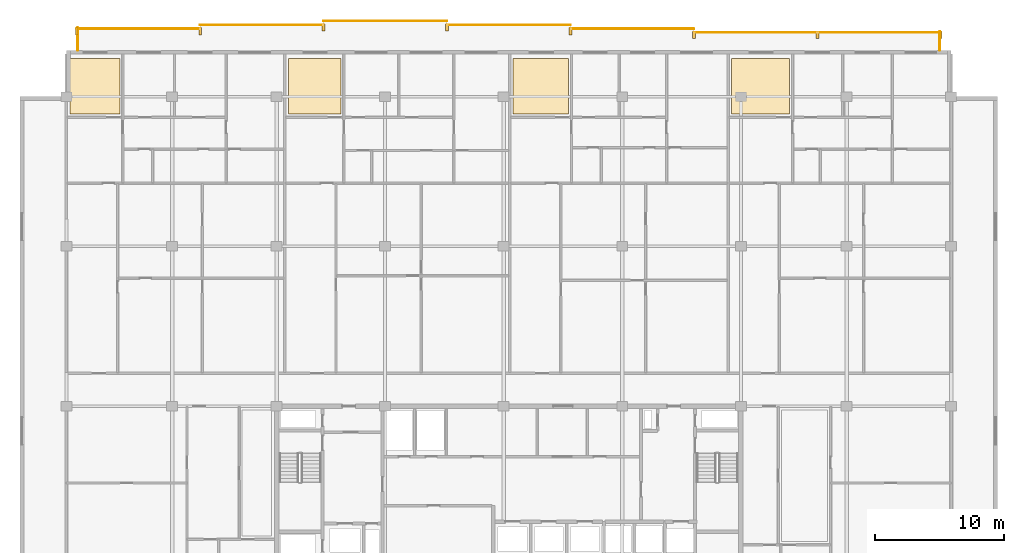
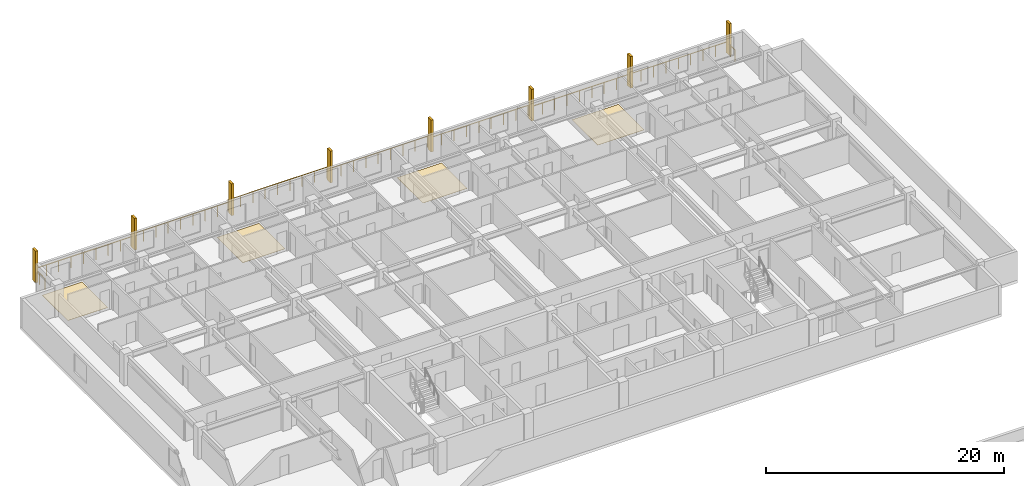
# One storey, part 24 of 24: 8 railings, 8 shading devices, 4 coverings.
"""IFC4 building model written with IfcOpenShell, lengths in metres."""

import ifcopenshell
import ifcopenshell.guid

model = None  # the IFC model being written
_history = None  # IfcOwnerHistory: only IFC2X3 demands one
_inside = {}  # id of a spatial element -> (the spatial element, [elements in it])
_under = {}  # id of a project, library or spatial element -> (it, [spatial elements below it])
_declared = {}  # id of a project -> (the project, [libraries it declares])
_typed = {}  # id of a type object -> (the type object, [elements of that type])
_made_of = {}  # id of a material, layer set ... -> (it, [elements and type objects made of it])


def new_model(schema):
    """Start an empty IFC model of exactly this schema.

    Asked for "IFC4X3", IfcOpenShell would pick the latest addendum, in which some entities
    have other attributes; the version numbers below select the first issue.
    IFC2X3 requires an IfcOwnerHistory on every rooted entity: one is made here for all.
    """
    global model, _history
    if schema == "IFC4X3":
        model = ifcopenshell.file(schema_version=(4, 3, 0, 0))
    else:
        model = ifcopenshell.file(schema=schema)
    _inside.clear()
    _under.clear()
    _declared.clear()
    _typed.clear()
    _made_of.clear()
    _history = None
    if model.schema == "IFC2X3":
        org = make("IfcOrganization", Name="unknown")
        user = make(
            "IfcPersonAndOrganization",
            ThePerson=make("IfcPerson", FamilyName="unknown"),
            TheOrganization=org,
        )
        app = make(
            "IfcApplication",
            ApplicationDeveloper=org,
            Version="unknown",
            ApplicationFullName="unknown",
            ApplicationIdentifier="unknown",
        )
        _history = make(
            "IfcOwnerHistory",
            OwningUser=user,
            OwningApplication=app,
            ChangeAction="ADDED",
            CreationDate=0,
        )
    return model


def make(cls, **values):
    """One entity of the class cls with the attributes given. An attribute that is None is left unset."""
    return model.create_entity(
        cls, **{name: value for name, value in values.items() if value is not None}
    )


def rooted(cls, **values):
    """An entity with a GlobalId (a new one), such as an element, a storey or a relation."""
    return make(cls, GlobalId=ifcopenshell.guid.new(), OwnerHistory=_history, **values)


def si_unit(unit_type, name, prefix=None):
    """IfcSIUnit, for example si_unit("LENGTHUNIT", "METRE", prefix="MILLI")."""
    return make("IfcSIUnit", UnitType=unit_type, Prefix=prefix, Name=name)


def assignment(units):
    """IfcUnitAssignment: the units of a project."""
    return None if units is None else make("IfcUnitAssignment", Units=units)


def point(xyz):
    """IfcCartesianPoint."""
    return None if xyz is None else make("IfcCartesianPoint", Coordinates=xyz)


def direction(xyz):
    """IfcDirection."""
    return None if xyz is None else make("IfcDirection", DirectionRatios=xyz)


def frame(location, z_axis=None, x_axis=None):
    """IfcAxis2Placement3D, a coordinate frame: its origin and axes. An axis left out is left unset."""
    return make(
        "IfcAxis2Placement3D",
        Location=point(location),
        Axis=direction(z_axis),
        RefDirection=direction(x_axis),
    )


def frame_2d(location, x_axis=None):
    """IfcAxis2Placement2D, a coordinate frame in the plane: its origin and x axis."""
    return make(
        "IfcAxis2Placement2D", Location=point(location), RefDirection=direction(x_axis)
    )


def origin():
    """The frame at (0, 0, 0) with its axes left unset."""
    return frame((0.0, 0.0, 0.0))


def origin_2d():
    """The frame at (0, 0) in the plane with its x axis left unset."""
    return frame_2d((0.0, 0.0))


def place(relative_to, where):
    """IfcLocalPlacement: puts the frame where relative to a parent placement (None: the world)."""
    return make(
        "IfcLocalPlacement", PlacementRelTo=relative_to, RelativePlacement=where
    )


def context(
    kind, dimensions, precision=None, world=None, true_north=None, identifier=None
):
    """IfcGeometricRepresentationContext, for example the 3D "Model" context."""
    return make(
        "IfcGeometricRepresentationContext",
        ContextIdentifier=identifier,
        ContextType=kind,
        CoordinateSpaceDimension=dimensions,
        Precision=precision,
        WorldCoordinateSystem=world,
        TrueNorth=true_north,
    )


def subcontext(parent, identifier, kind, view, scale=None):
    """IfcGeometricRepresentationSubContext, for example "Body" below "Model"."""
    return make(
        "IfcGeometricRepresentationSubContext",
        ContextIdentifier=identifier,
        ContextType=kind,
        ParentContext=parent,
        TargetScale=scale,
        TargetView=view,
    )


def project(units=None, contexts=None):
    """IfcProject with its units and contexts."""
    return rooted(
        "IfcProject",
        Name="project",
        RepresentationContexts=contexts,
        UnitsInContext=assignment(units),
    )


def spatial(cls, under=None, at=None, **own):
    """A site, building, storey or space (cls), placed at a placement, below another one or the project."""
    s = rooted(cls, ObjectPlacement=at, **own)
    if under is not None:
        _under.setdefault(under.id(), (under, []))[1].append(s)
    return s


def polyline(points):
    """IfcPolyline through the points."""
    return make("IfcPolyline", Points=[point(p) for p in points])


def profile(cls, at=None, kind="AREA", **sizes):
    """A parametric profile (cls). Its sizes go by their IFC names, for example OverallWidth=200.0."""
    return make(cls, ProfileType=kind, Position=at, **sizes)


def rectangle(**sizes):
    """IfcRectangleProfileDef."""
    return profile("IfcRectangleProfileDef", **sizes)


def circle(**sizes):
    """IfcCircleProfileDef."""
    return profile("IfcCircleProfileDef", **sizes)


def outline(outer, holes=None, kind="AREA"):
    """IfcArbitraryClosedProfileDef: a profile drawn as a closed curve; with holes, ...WithVoids."""
    if holes is None:
        return make("IfcArbitraryClosedProfileDef", ProfileType=kind, OuterCurve=outer)
    return make(
        "IfcArbitraryProfileDefWithVoids",
        ProfileType=kind,
        OuterCurve=outer,
        InnerCurves=holes,
    )


def extrude(swept, where, along, depth):
    """IfcExtrudedAreaSolid: the profile swept, set in the frame where, extruded along a direction by depth."""
    return make(
        "IfcExtrudedAreaSolid",
        SweptArea=swept,
        Position=where,
        ExtrudedDirection=direction(along),
        Depth=depth,
    )


def shape(context_of_items, identifier, shape_type, items):
    """IfcShapeRepresentation: the items that make up one representation, for example the "Body"."""
    return make(
        "IfcShapeRepresentation",
        ContextOfItems=context_of_items,
        RepresentationIdentifier=identifier,
        RepresentationType=shape_type,
        Items=items,
    )


def material(Name=None, Category=None):
    """IfcMaterial."""
    return make("IfcMaterial", Name=Name, Category=Category)


def layer(
    of_material, thickness, ventilated=None, Name=None, Category=None, Priority=None
):
    """IfcMaterialLayer: one layer of a wall or slab, of a material (None: an air gap)."""
    return make(
        "IfcMaterialLayer",
        Material=of_material,
        LayerThickness=thickness,
        IsVentilated=ventilated,
        Name=Name,
        Category=Category,
        Priority=Priority,
    )


def layer_set(layers, Name=None):
    """IfcMaterialLayerSet."""
    return make("IfcMaterialLayerSet", MaterialLayers=layers, LayerSetName=Name)


def made_of(thing, what):
    """Note that an element or type object is made of a material, layer set ...; save() writes the relation."""
    if what is not None:
        _made_of.setdefault(what.id(), (what, []))[1].append(thing)
    return thing


def type_object(cls, material=None, **own):
    """A type object (cls), such as IfcWallType, which elements share."""
    return made_of(rooted(cls, **own), material)


def element(
    cls,
    number,
    at=None,
    inside=None,
    cuts=None,
    type_object=None,
    material=None,
    context=None,
    identifier="Body",
    shape_type=None,
    held_by="IfcProductDefinitionShape",
    body=None,
    shapes=None,
    **own,
):
    """One element of the class cls, such as IfcWall. Its Tag is "e" and its number.

    at: its placement. inside: the storey or other place that contains it. cuts: it is an
    opening in that element (IfcRelVoidsElement). A single representation is given by context,
    identifier, shape_type and body (its items); several are given by shapes. held_by: the class
    of the entity that holds the representations. save() writes the other relations.
    """
    e = rooted(cls, Tag="e%d" % number, ObjectPlacement=at, **own)
    if body is not None:
        shapes = [shape(context, identifier, shape_type, body)]
    if shapes is not None:
        e.Representation = make(held_by, Representations=shapes)
    if inside is not None:
        _inside.setdefault(inside.id(), (inside, []))[1].append(e)
    if cuts is not None:
        rooted(
            "IfcRelVoidsElement", RelatingBuildingElement=cuts, RelatedOpeningElement=e
        )
    if type_object is not None:
        _typed.setdefault(type_object.id(), (type_object, []))[1].append(e)
    return made_of(e, material)


def aggregate(whole, parts):
    """IfcRelAggregates: a whole, such as a stair, and the parts it consists of."""
    return rooted("IfcRelAggregates", RelatingObject=whole, RelatedObjects=parts)


def save(model, path):
    """Write the relations noted so far, then the file.

    IfcRelAggregates (storeys below a building ...), IfcRelContainedInSpatialStructure (elements
    in a storey), IfcRelDefinesByType, IfcRelAssociatesMaterial and IfcRelDeclares: one each for
    every whole, place, type object, material and project.
    """
    for whole, parts in _under.values():
        aggregate(whole, parts)
    for where, things in _inside.values():
        rooted(
            "IfcRelContainedInSpatialStructure",
            RelatedElements=things,
            RelatingStructure=where,
        )
    for kind, things in _typed.values():
        rooted("IfcRelDefinesByType", RelatedObjects=things, RelatingType=kind)
    for what, things in _made_of.values():
        rooted("IfcRelAssociatesMaterial", RelatedObjects=things, RelatingMaterial=what)
    for by, libraries in _declared.values():
        rooted("IfcRelDeclares", RelatingContext=by, RelatedDefinitions=libraries)
    model.write(path)


model = new_model("IFC4")

# Units and contexts
model_context = context("Model", 3, precision=1e-05, world=origin(), true_north=direction((0.0, 1.0)))
body_context = subcontext(model_context, "Body", "Model", "MODEL_VIEW")
ifc_project = project(units=[si_unit("LENGTHUNIT", "METRE"), si_unit("AREAUNIT", "SQUARE_METRE"), si_unit("VOLUMEUNIT", "CUBIC_METRE"), si_unit("PLANEANGLEUNIT", "RADIAN"), si_unit("MASSUNIT", "GRAM", prefix="KILO")], contexts=[model_context])

# Site, building, storey
site_placement = place(None, origin())
site = spatial("IfcSite", under=ifc_project, at=site_placement, CompositionType="ELEMENT")
building_placement = place(site_placement, origin())
building = spatial("IfcBuilding", under=site, at=building_placement, Name="Korimba Cascade Residences", CompositionType="ELEMENT")
storey_placement = place(building_placement, frame((0.0, 0.0, 168.60009765625)))
storey = spatial("IfcBuildingStorey", under=building, at=storey_placement, Name="L48", CompositionType="ELEMENT", Elevation=168.60009765625)

# Coverings
ifc_material_1 = material(Name="Engineered Spotted-Gum Timber Flooring", Category="wood")
ifc_layer = layer(ifc_material_1, 0.02001953125)
ifc_layer_set = layer_set([ifc_layer], Name="Engineered Spotted-Gum Timber Flooring")
covering_type = type_object("IfcCoveringType", Name="COV-FLR-TIM", PredefinedType="FLOORING", material=ifc_layer_set)
covering_1_placement = place(storey_placement, origin())
element("IfcCovering", 1, at=covering_1_placement, inside=storey, type_object=covering_type, Name="L48 Spotted-Gum Timber Flooring L48-T1-U01-L", PredefinedType="FLOORING", context=body_context, shape_type="SweptSolid", body=[
    extrude(outline(polyline([(60.070068359375, 89.8701171875), (63.93994140625, 89.8701171875), (63.93994140625, 94.179931640625), (60.070068359375, 94.179931640625), (60.070068359375, 89.8701171875)])), origin(), (0.0, 0.0, 1.0), 0.02001953125),
])
covering_2_placement = place(storey_placement, origin())
element("IfcCovering", 2, at=covering_2_placement, inside=storey, type_object=covering_type, Name="L48 Spotted-Gum Timber Flooring L48-T1-U02-L", PredefinedType="FLOORING", context=body_context, shape_type="SweptSolid", body=[
    extrude(outline(polyline([(77.005126953125, 89.8701171875), (81.085205078125, 89.8701171875), (81.085205078125, 94.179931640625), (77.005126953125, 94.179931640625), (77.005126953125, 89.8701171875)])), origin(), (0.0, 0.0, 1.0), 0.02001953125),
])
covering_3_placement = place(storey_placement, origin())
element("IfcCovering", 3, at=covering_3_placement, inside=storey, type_object=covering_type, Name="L48 Spotted-Gum Timber Flooring L48-T1-U03-L", PredefinedType="FLOORING", context=body_context, shape_type="SweptSolid", body=[
    extrude(outline(polyline([(94.445068359375, 89.8701171875), (98.735107421875, 89.8701171875), (98.735107421875, 94.179931640625), (94.445068359375, 94.179931640625), (94.445068359375, 89.8701171875)])), origin(), (0.0, 0.0, 1.0), 0.02001953125),
])
covering_4_placement = place(storey_placement, origin())
element("IfcCovering", 4, at=covering_4_placement, inside=storey, type_object=covering_type, Name="L48 Spotted-Gum Timber Flooring L48-T1-U04-L", PredefinedType="FLOORING", context=body_context, shape_type="SweptSolid", body=[
    extrude(outline(polyline([(111.380126953125, 89.8701171875), (115.880126953125, 89.8701171875), (115.880126953125, 94.179931640625), (111.380126953125, 94.179931640625), (111.380126953125, 89.8701171875)])), origin(), (0.0, 0.0, 1.0), 0.02001953125),
])

# Railings
ifc_material_2 = material(Name="Laminated Glass and Bronze Balustrade", Category="glass")
railing_type = type_object("IfcRailingType", Name="RLG-LOG-1150", PredefinedType="BALUSTRADE", material=ifc_material_2)
railing_1_placement = place(storey_placement, frame((127.52001953125, 94.800048828125, 0.0)))
element("IfcRailing", 5, at=railing_1_placement, inside=storey, type_object=railing_type, Name="L48 Perimeter Guardrail RLG-L48-T1-LOG-01", PredefinedType="BALUSTRADE", context=body_context, shape_type="SweptSolid", body=[
    extrude(circle(Radius=0.02392578125, at=origin_2d()), frame((0.0, 0.0, 1.1259765625), z_axis=(0.0, 1.0, 0.0), x_axis=(-1.0, 0.0, 0.0)), (0.0, 0.0, 1.0), 1.449951171875),
    extrude(circle(Radius=0.02099609375, at=origin_2d()), origin(), (0.0, 0.0, 1.0), 1.101806640625),
    extrude(circle(Radius=0.02099609375, at=origin_2d()), frame((0.0, 0.72509765625, 0.0)), (0.0, 0.0, 1.0), 1.101806640625),
    extrude(circle(Radius=0.02099609375, at=origin_2d()), frame((0.0, 1.449951171875, 0.0)), (0.0, 0.0, 1.0), 1.101806640625),
])
railing_2_placement = place(storey_placement, frame((127.60009765625, 96.169921875, 0.0)))
element("IfcRailing", 6, at=railing_2_placement, inside=storey, type_object=railing_type, Name="L48 Perimeter Guardrail RLG-L48-T1-LOG-02", PredefinedType="BALUSTRADE", context=body_context, shape_type="SweptSolid", body=[
    extrude(circle(Radius=0.02392578125, at=origin_2d()), frame((0.0, 0.0, 1.1259765625), z_axis=(-1.0, 0.0, 0.0), x_axis=(0.0, -1.0, 0.0)), (0.0, 0.0, 1.0), 19.14306640625),
    extrude(circle(Radius=0.02099609375, at=origin_2d()), origin(), (0.0, 0.0, 1.0), 1.101806640625),
    extrude(circle(Radius=0.02099609375, at=origin_2d()), frame((-1.196533203125, 0.0, 0.0)), (0.0, 0.0, 1.0), 1.101806640625),
    extrude(circle(Radius=0.02099609375, at=origin_2d()), frame((-2.392822265625, 0.0, 0.0)), (0.0, 0.0, 1.0), 1.101806640625),
    extrude(circle(Radius=0.02099609375, at=origin_2d()), frame((-3.58935546875, 0.0, 0.0)), (0.0, 0.0, 1.0), 1.101806640625),
    extrude(circle(Radius=0.02099609375, at=origin_2d()), frame((-4.78564453125, 0.0, 0.0)), (0.0, 0.0, 1.0), 1.101806640625),
    extrude(circle(Radius=0.02099609375, at=origin_2d()), frame((-5.982177734375, 0.0, 0.0)), (0.0, 0.0, 1.0), 1.101806640625),
    extrude(circle(Radius=0.02099609375, at=origin_2d()), frame((-7.1787109375, 0.0, 0.0)), (0.0, 0.0, 1.0), 1.101806640625),
    extrude(circle(Radius=0.02099609375, at=origin_2d()), frame((-8.375, 0.0, 0.0)), (0.0, 0.0, 1.0), 1.101806640625),
    extrude(circle(Radius=0.02099609375, at=origin_2d()), frame((-9.571533203125, 0.0, 0.0)), (0.0, 0.0, 1.0), 1.101806640625),
    extrude(circle(Radius=0.02099609375, at=origin_2d()), frame((-10.76806640625, 0.0, 0.0)), (0.0, 0.0, 1.0), 1.101806640625),
    extrude(circle(Radius=0.02099609375, at=origin_2d()), frame((-11.96435546875, 0.0, 0.0)), (0.0, 0.0, 1.0), 1.101806640625),
    extrude(circle(Radius=0.02099609375, at=origin_2d()), frame((-13.160888671875, 0.0, 0.0)), (0.0, 0.0, 1.0), 1.101806640625),
    extrude(circle(Radius=0.02099609375, at=origin_2d()), frame((-14.357421875, 0.0, 0.0)), (0.0, 0.0, 1.0), 1.101806640625),
    extrude(circle(Radius=0.02099609375, at=origin_2d()), frame((-15.5537109375, 0.0, 0.0)), (0.0, 0.0, 1.0), 1.101806640625),
    extrude(circle(Radius=0.02099609375, at=origin_2d()), frame((-16.750244140625, 0.0, 0.0)), (0.0, 0.0, 1.0), 1.101806640625),
    extrude(circle(Radius=0.02099609375, at=origin_2d()), frame((-17.946533203125, 0.0, 0.0)), (0.0, 0.0, 1.0), 1.101806640625),
    extrude(circle(Radius=0.02099609375, at=origin_2d()), frame((-19.14306640625, 0.0, 0.0)), (0.0, 0.0, 1.0), 1.101806640625),
])
railing_3_placement = place(storey_placement, frame((108.45703125, 96.469970703125, 0.0)))
element("IfcRailing", 7, at=railing_3_placement, inside=storey, type_object=railing_type, Name="L48 Perimeter Guardrail RLG-L48-T1-LOG-03", PredefinedType="BALUSTRADE", context=body_context, shape_type="SweptSolid", body=[
    extrude(circle(Radius=0.02392578125, at=origin_2d()), frame((0.0, 0.0, 1.1259765625), z_axis=(-1.0, 0.0, 0.0), x_axis=(0.0, -1.0, 0.0)), (0.0, 0.0, 1.0), 9.5712890625),
    extrude(circle(Radius=0.02099609375, at=origin_2d()), origin(), (0.0, 0.0, 1.0), 1.101806640625),
    extrude(circle(Radius=0.02099609375, at=origin_2d()), frame((-1.1962890625, 0.0, 0.0)), (0.0, 0.0, 1.0), 1.101806640625),
    extrude(circle(Radius=0.02099609375, at=origin_2d()), frame((-2.392822265625, 0.0, 0.0)), (0.0, 0.0, 1.0), 1.101806640625),
    extrude(circle(Radius=0.02099609375, at=origin_2d()), frame((-3.58935546875, 0.0, 0.0)), (0.0, 0.0, 1.0), 1.101806640625),
    extrude(circle(Radius=0.02099609375, at=origin_2d()), frame((-4.78564453125, 0.0, 0.0)), (0.0, 0.0, 1.0), 1.101806640625),
    extrude(circle(Radius=0.02099609375, at=origin_2d()), frame((-5.98193359375, 0.0, 0.0)), (0.0, 0.0, 1.0), 1.101806640625),
    extrude(circle(Radius=0.02099609375, at=origin_2d()), frame((-7.178466796875, 0.0, 0.0)), (0.0, 0.0, 1.0), 1.101806640625),
    extrude(circle(Radius=0.02099609375, at=origin_2d()), frame((-8.375, 0.0, 0.0)), (0.0, 0.0, 1.0), 1.101806640625),
    extrude(circle(Radius=0.02099609375, at=origin_2d()), frame((-9.5712890625, 0.0, 0.0)), (0.0, 0.0, 1.0), 1.101806640625),
])
railing_4_placement = place(storey_placement, frame((98.8857421875, 96.77001953125, 0.0)))
element("IfcRailing", 8, at=railing_4_placement, inside=storey, type_object=railing_type, Name="L48 Perimeter Guardrail RLG-L48-T1-LOG-04", PredefinedType="BALUSTRADE", context=body_context, shape_type="SweptSolid", body=[
    extrude(circle(Radius=0.02392578125, at=origin_2d()), frame((0.0, 0.0, 1.1259765625), z_axis=(-1.0, 0.0, 0.0), x_axis=(0.0, -1.0, 0.0)), (0.0, 0.0, 1.0), 9.571533203125),
    extrude(circle(Radius=0.02099609375, at=origin_2d()), origin(), (0.0, 0.0, 1.0), 1.101806640625),
    extrude(circle(Radius=0.02099609375, at=origin_2d()), frame((-1.196533203125, 0.0, 0.0)), (0.0, 0.0, 1.0), 1.101806640625),
    extrude(circle(Radius=0.02099609375, at=origin_2d()), frame((-2.392822265625, 0.0, 0.0)), (0.0, 0.0, 1.0), 1.101806640625),
    extrude(circle(Radius=0.02099609375, at=origin_2d()), frame((-3.58935546875, 0.0, 0.0)), (0.0, 0.0, 1.0), 1.101806640625),
    extrude(circle(Radius=0.02099609375, at=origin_2d()), frame((-4.78564453125, 0.0, 0.0)), (0.0, 0.0, 1.0), 1.101806640625),
    extrude(circle(Radius=0.02099609375, at=origin_2d()), frame((-5.982177734375, 0.0, 0.0)), (0.0, 0.0, 1.0), 1.101806640625),
    extrude(circle(Radius=0.02099609375, at=origin_2d()), frame((-7.1787109375, 0.0, 0.0)), (0.0, 0.0, 1.0), 1.101806640625),
    extrude(circle(Radius=0.02099609375, at=origin_2d()), frame((-8.375, 0.0, 0.0)), (0.0, 0.0, 1.0), 1.101806640625),
    extrude(circle(Radius=0.02099609375, at=origin_2d()), frame((-9.571533203125, 0.0, 0.0)), (0.0, 0.0, 1.0), 1.101806640625),
])
railing_5_placement = place(storey_placement, frame((89.314208984375, 97.070068359375, 0.0)))
element("IfcRailing", 9, at=railing_5_placement, inside=storey, type_object=railing_type, Name="L48 Perimeter Guardrail RLG-L48-T1-LOG-05", PredefinedType="BALUSTRADE", context=body_context, shape_type="SweptSolid", body=[
    extrude(circle(Radius=0.02392578125, at=origin_2d()), frame((0.0, 0.0, 1.1259765625), z_axis=(-1.0, 0.0, 0.0), x_axis=(0.0, -1.0, 0.0)), (0.0, 0.0, 1.0), 9.5712890625),
    extrude(circle(Radius=0.02099609375, at=origin_2d()), origin(), (0.0, 0.0, 1.0), 1.101806640625),
    extrude(circle(Radius=0.02099609375, at=origin_2d()), frame((-1.1962890625, 0.0, 0.0)), (0.0, 0.0, 1.0), 1.101806640625),
    extrude(circle(Radius=0.02099609375, at=origin_2d()), frame((-2.392822265625, 0.0, 0.0)), (0.0, 0.0, 1.0), 1.101806640625),
    extrude(circle(Radius=0.02099609375, at=origin_2d()), frame((-3.58935546875, 0.0, 0.0)), (0.0, 0.0, 1.0), 1.101806640625),
    extrude(circle(Radius=0.02099609375, at=origin_2d()), frame((-4.78564453125, 0.0, 0.0)), (0.0, 0.0, 1.0), 1.101806640625),
    extrude(circle(Radius=0.02099609375, at=origin_2d()), frame((-5.98193359375, 0.0, 0.0)), (0.0, 0.0, 1.0), 1.101806640625),
    extrude(circle(Radius=0.02099609375, at=origin_2d()), frame((-7.178466796875, 0.0, 0.0)), (0.0, 0.0, 1.0), 1.101806640625),
    extrude(circle(Radius=0.02099609375, at=origin_2d()), frame((-8.375, 0.0, 0.0)), (0.0, 0.0, 1.0), 1.101806640625),
    extrude(circle(Radius=0.02099609375, at=origin_2d()), frame((-9.5712890625, 0.0, 0.0)), (0.0, 0.0, 1.0), 1.101806640625),
])
railing_6_placement = place(storey_placement, frame((79.742919921875, 96.77001953125, 0.0)))
element("IfcRailing", 10, at=railing_6_placement, inside=storey, type_object=railing_type, Name="L48 Perimeter Guardrail RLG-L48-T1-LOG-06", PredefinedType="BALUSTRADE", context=body_context, shape_type="SweptSolid", body=[
    extrude(circle(Radius=0.02392578125, at=origin_2d()), frame((0.0, 0.0, 1.1259765625), z_axis=(-1.0, 0.0, 0.0), x_axis=(0.0, -1.0, 0.0)), (0.0, 0.0, 1.0), 9.571533203125),
    extrude(circle(Radius=0.02099609375, at=origin_2d()), origin(), (0.0, 0.0, 1.0), 1.101806640625),
    extrude(circle(Radius=0.02099609375, at=origin_2d()), frame((-1.196533203125, 0.0, 0.0)), (0.0, 0.0, 1.0), 1.101806640625),
    extrude(circle(Radius=0.02099609375, at=origin_2d()), frame((-2.392822265625, 0.0, 0.0)), (0.0, 0.0, 1.0), 1.101806640625),
    extrude(circle(Radius=0.02099609375, at=origin_2d()), frame((-3.58935546875, 0.0, 0.0)), (0.0, 0.0, 1.0), 1.101806640625),
    extrude(circle(Radius=0.02099609375, at=origin_2d()), frame((-4.78564453125, 0.0, 0.0)), (0.0, 0.0, 1.0), 1.101806640625),
    extrude(circle(Radius=0.02099609375, at=origin_2d()), frame((-5.982177734375, 0.0, 0.0)), (0.0, 0.0, 1.0), 1.101806640625),
    extrude(circle(Radius=0.02099609375, at=origin_2d()), frame((-7.1787109375, 0.0, 0.0)), (0.0, 0.0, 1.0), 1.101806640625),
    extrude(circle(Radius=0.02099609375, at=origin_2d()), frame((-8.375, 0.0, 0.0)), (0.0, 0.0, 1.0), 1.101806640625),
    extrude(circle(Radius=0.02099609375, at=origin_2d()), frame((-9.571533203125, 0.0, 0.0)), (0.0, 0.0, 1.0), 1.101806640625),
])
railing_7_placement = place(storey_placement, frame((70.17138671875, 96.469970703125, 0.0)))
element("IfcRailing", 11, at=railing_7_placement, inside=storey, type_object=railing_type, Name="L48 Perimeter Guardrail RLG-L48-T1-LOG-07", PredefinedType="BALUSTRADE", context=body_context, shape_type="SweptSolid", body=[
    extrude(circle(Radius=0.02392578125, at=origin_2d()), frame((0.0, 0.0, 1.1259765625), z_axis=(-1.0, 0.0, 0.0), x_axis=(0.0, -1.0, 0.0)), (0.0, 0.0, 1.0), 9.5712890625),
    extrude(circle(Radius=0.02099609375, at=origin_2d()), origin(), (0.0, 0.0, 1.0), 1.101806640625),
    extrude(circle(Radius=0.02099609375, at=origin_2d()), frame((-1.1962890625, 0.0, 0.0)), (0.0, 0.0, 1.0), 1.101806640625),
    extrude(circle(Radius=0.02099609375, at=origin_2d()), frame((-2.392822265625, 0.0, 0.0)), (0.0, 0.0, 1.0), 1.101806640625),
    extrude(circle(Radius=0.02099609375, at=origin_2d()), frame((-3.58935546875, 0.0, 0.0)), (0.0, 0.0, 1.0), 1.101806640625),
    extrude(circle(Radius=0.02099609375, at=origin_2d()), frame((-4.78564453125, 0.0, 0.0)), (0.0, 0.0, 1.0), 1.101806640625),
    extrude(circle(Radius=0.02099609375, at=origin_2d()), frame((-5.98193359375, 0.0, 0.0)), (0.0, 0.0, 1.0), 1.101806640625),
    extrude(circle(Radius=0.02099609375, at=origin_2d()), frame((-7.178466796875, 0.0, 0.0)), (0.0, 0.0, 1.0), 1.101806640625),
    extrude(circle(Radius=0.02099609375, at=origin_2d()), frame((-8.375, 0.0, 0.0)), (0.0, 0.0, 1.0), 1.101806640625),
    extrude(circle(Radius=0.02099609375, at=origin_2d()), frame((-9.5712890625, 0.0, 0.0)), (0.0, 0.0, 1.0), 1.101806640625),
])
railing_8_placement = place(storey_placement, frame((60.679931640625, 96.550048828125, 0.0)))
element("IfcRailing", 12, at=railing_8_placement, inside=storey, type_object=railing_type, Name="L48 Perimeter Guardrail RLG-L48-T1-LOG-08", PredefinedType="BALUSTRADE", context=body_context, shape_type="SweptSolid", body=[
    extrude(circle(Radius=0.02392578125, at=origin_2d()), frame((0.0, 0.0, 1.1259765625), z_axis=(0.0, -1.0, 0.0), x_axis=(1.0, 0.0, 0.0)), (0.0, 0.0, 1.0), 1.75),
    extrude(circle(Radius=0.02099609375, at=origin_2d()), origin(), (0.0, 0.0, 1.0), 1.101806640625),
    extrude(circle(Radius=0.02099609375, at=origin_2d()), frame((0.0, -0.875, 0.0)), (0.0, 0.0, 1.0), 1.101806640625),
    extrude(circle(Radius=0.02099609375, at=origin_2d()), frame((0.0, -1.75, 0.0)), (0.0, 0.0, 1.0), 1.101806640625),
])

# Shading devices
ifc_material_3 = material(Name="Honed Sandstone Precast Fin", Category="masonry")
shading_device_type = type_object("IfcShadingDeviceType", Name="SHD-FIN-550", PredefinedType="USERDEFINED", material=ifc_material_3)
for number, where, z_axis, x_axis, name in (
    (13, (60.60009765625, 96.27490234375, 0.0), (0.0, 0.0, 1.0), (1.0, 0.0, 0.0), "L48 T1 Warm-Stone Loggia Fin 1"),
    (14, (70.17138671875, 96.27490234375, 0.0), (0.0, 0.0, 1.0), (1.0, 0.0, 0.0), "L48 T1 Warm-Stone Loggia Fin 2"),
    (15, (79.742919921875, 96.574951171875, 0.0), (0.0, 0.0, 1.0), (1.0, 0.0, 0.0), "L48 T1 Warm-Stone Loggia Fin 3"),
    (16, (89.314208984375, 96.574951171875, 0.0), (0.0, 0.0, 1.0), (1.0, 0.0, 0.0), "L48 T1 Warm-Stone Loggia Fin 4"),
    (17, (98.8857421875, 96.27490234375, 0.0), (0.0, 0.0, 1.0), (1.0, 0.0, 0.0), "L48 T1 Warm-Stone Loggia Fin 5"),
    (18, (108.45703125, 95.97509765625, 0.0), (0.0, 0.0, 1.0), (1.0, 0.0, 0.0), "L48 T1 Warm-Stone Loggia Fin 6"),
    (19, (118.028564453125, 95.97509765625, 0.0), (0.0, 0.0, 1.0), (1.0, 0.0, 0.0), "L48 T1 Warm-Stone Loggia Fin 7"),
    (20, (127.60009765625, 95.97509765625, 0.0), (0.0, 0.0, 1.0), (1.0, 0.0, 0.0), "L48 T1 Warm-Stone Loggia Fin 8"),
):
    element("IfcShadingDevice", number, at=place(storey_placement, frame(where, z_axis=z_axis, x_axis=x_axis)), inside=storey, type_object=shading_device_type, Name=name, ObjectType="FIN", PredefinedType="USERDEFINED", context=body_context, shape_type="SweptSolid", body=[
        extrude(rectangle(XDim=0.219970703125, YDim=0.550048828125, at=origin_2d()), origin(), (0.0, 0.0, 1.0), 3.25),
    ])

save(model, "model.ifc")
